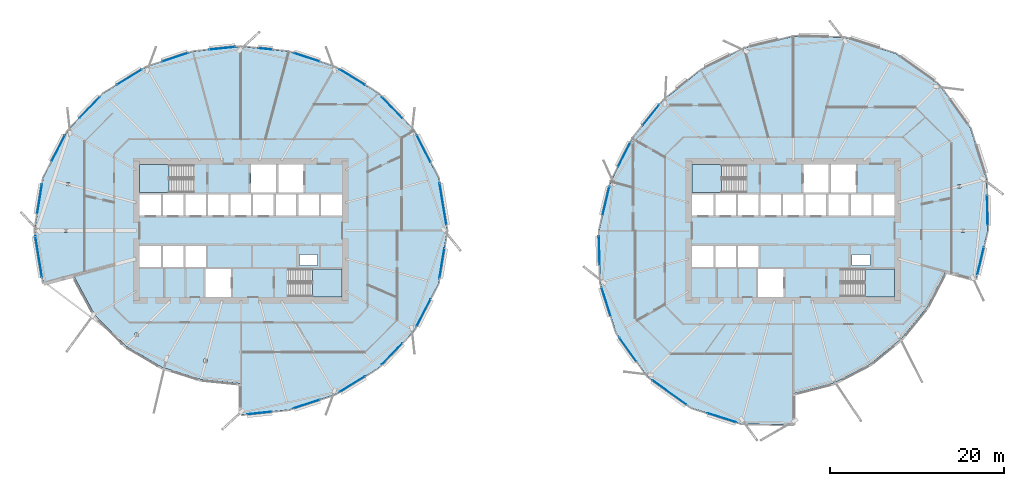
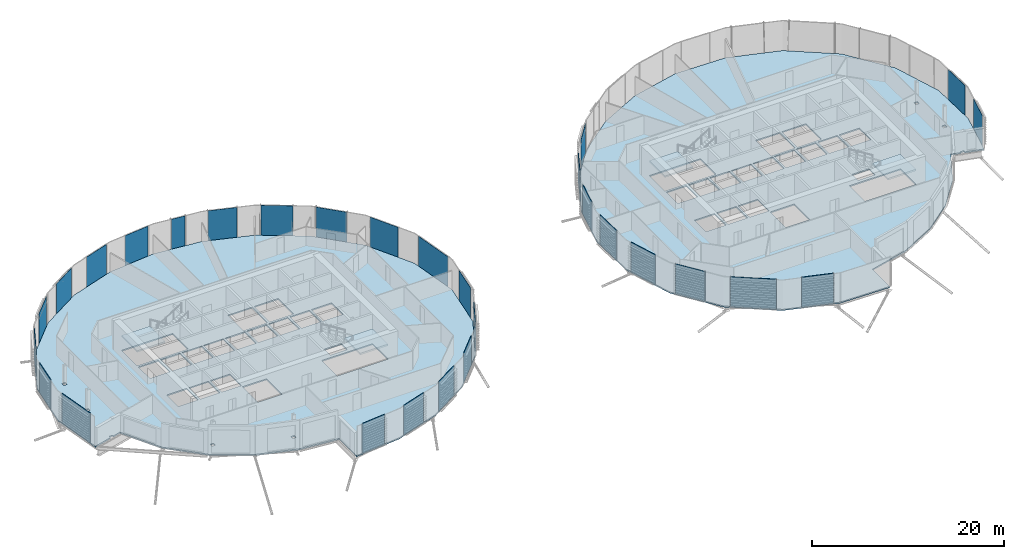
# One storey, part 20 of 42: 29 plates, 6 slabs, 6 elements without a shape of their own.
"""IFC4 building model written with IfcOpenShell, lengths in metres."""

from ifc_helpers import new_model, si_unit, direction, frame, origin, origin_2d, place, context, subcontext, project, spatial, polyline, rectangle, outline, extrude, material, layer, layer_set, type_object, element, aggregate, save


model = new_model("IFC4")

# Units and contexts
model_context = context("Model", 3, precision=1e-05, world=origin(), true_north=direction((0.0, 1.0)))
body_context = subcontext(model_context, "Body", "Model", "MODEL_VIEW")
ifc_project = project(units=[si_unit("LENGTHUNIT", "METRE"), si_unit("AREAUNIT", "SQUARE_METRE"), si_unit("VOLUMEUNIT", "CUBIC_METRE"), si_unit("PLANEANGLEUNIT", "RADIAN"), si_unit("MASSUNIT", "GRAM", prefix="KILO")], contexts=[model_context])

# Site, building, storey
site_placement = place(None, origin())
site = spatial("IfcSite", under=ifc_project, at=site_placement, CompositionType="ELEMENT")
building_placement = place(site_placement, origin())
building = spatial("IfcBuilding", under=site, at=building_placement, Name="Rimbun Link Towers", CompositionType="ELEMENT")
storey_placement = place(building_placement, frame((0.0, 0.0, 85.39990234375)))
storey = spatial("IfcBuildingStorey", under=building, at=storey_placement, Name="L20", CompositionType="ELEMENT", Elevation=85.39990234375)

# Slabs
ifc_material_1 = material(Name="Concrete C35/45", Category="concrete")
ifc_layer_1 = layer(ifc_material_1, 0.159912109375)
ifc_layer_set_1 = layer_set([ifc_layer_1], Name="COMPOSITE FLOOR 160")
slab_type_1 = type_object("IfcSlabType", Name="COMPOSITE FLOOR 160", PredefinedType="FLOOR", material=ifc_layer_set_1)
slab_1_placement = place(storey_placement, frame((0.0, 0.0, -0.159912109375)))
element("IfcSlab", 1, at=slab_1_placement, inside=storey, type_object=slab_type_1, Name="Floor slab T1 L20", PredefinedType="FLOOR", context=body_context, shape_type="SweptSolid", body=[
    extrude(outline(polyline([(-54.45556640625, -6.083984375), (-55.455810546875, 0.0), (-54.45556640625, 6.083984375), (-51.65673828125, 11.4931640625), (-47.53857421875, 15.78857421875), (-42.61181640625, 18.8134765625), (-37.265869140625, 20.585205078125), (-31.75, 21.166015625), (-26.234130859375, 20.585205078125), (-20.88818359375, 18.8134765625), (-15.96142578125, 15.78857421875), (-11.84326171875, 11.4931640625), (-9.04443359375, 6.083984375), (-8.044189453125, 0.0), (-9.04443359375, -6.083984375), (-11.84326171875, -11.4931640625), (-15.96142578125, -15.78857421875), (-20.88818359375, -18.8134765625), (-26.234130859375, -20.585205078125), (-31.75, -21.166015625), (-31.75, -17.56591796875), (-36.333984375, -17.10791015625), (-40.81201171875, -15.69580078125), (-44.992919921875, -13.242919921875), (-48.5390625, -9.693115234375), (-50.978271484375, -5.152099609375), (-51.91259765625, -5.402587890625), (-51.91259765625, -5.25927734375), (-52.3115234375, -5.25927734375), (-52.3115234375, -5.509521484375), (-54.45556640625, -6.083984375)]), holes=[polyline([(-35.5595703125, -15.15869140625), (-35.5595703125, -14.76513671875), (-35.95849609375, -14.76513671875), (-35.95849609375, -15.15869140625), (-35.5595703125, -15.15869140625)]), polyline([(-43.515869140625, -12.162109375), (-43.515869140625, -11.7685546875), (-43.914794921875, -11.7685546875), (-43.914794921875, -12.162109375), (-43.515869140625, -12.162109375)]), polyline([(-43.375, -4.14990234375), (-40.95556640625, -4.14990234375), (-40.95556640625, -1.75), (-43.375, -1.75), (-43.375, -4.14990234375)]), polyline([(-40.70556640625, -4.14990234375), (-38.361083984375, -4.14990234375), (-38.361083984375, -1.75), (-40.70556640625, -1.75), (-40.70556640625, -4.14990234375)]), polyline([(-35.7666015625, -4.14990234375), (-35.7666015625, -1.75), (-38.111083984375, -1.75), (-38.111083984375, -4.14990234375), (-35.7666015625, -4.14990234375)]), polyline([(-52.056884765625, -0.19677734375), (-51.65771484375, -0.19677734375), (-51.65771484375, 0.19677734375), (-52.056884765625, 0.19677734375), (-52.056884765625, -0.19677734375)]), polyline([(-43.375, 1.75), (-40.95556640625, 1.75), (-40.95556640625, 4.14990234375), (-43.375, 4.14990234375), (-43.375, 1.75)]), polyline([(-38.361083984375, 1.75), (-38.361083984375, 4.14990234375), (-40.70556640625, 4.14990234375), (-40.70556640625, 1.75), (-38.361083984375, 1.75)]), polyline([(-38.111083984375, 1.75), (-35.7666015625, 1.75), (-35.7666015625, 4.14990234375), (-38.111083984375, 4.14990234375), (-38.111083984375, 1.75)]), polyline([(-51.785888671875, 5.118408203125), (-51.386962890625, 5.118408203125), (-51.386962890625, 5.511962890625), (-51.785888671875, 5.511962890625), (-51.785888671875, 5.118408203125)]), polyline([(-37.260009765625, 4.39990234375), (-37.260009765625, 7.625), (-43.375, 7.625), (-43.375, 4.39990234375), (-37.260009765625, 4.39990234375)]), polyline([(-35.800048828125, -7.625), (-32.89990234375, -7.625), (-32.89990234375, -4.39990234375), (-35.800048828125, -4.39990234375), (-35.800048828125, -7.625)]), polyline([(-26.239990234375, -7.625), (-20.125, -7.625), (-20.125, -4.39990234375), (-26.239990234375, -4.39990234375), (-26.239990234375, -7.625)]), polyline([(-24.989013671875, -4.0), (-22.9443359375, -4.0), (-22.9443359375, -2.75), (-24.989013671875, -2.75), (-24.989013671875, -4.0)]), polyline([(-35.5166015625, 1.75), (-33.172119140625, 1.75), (-33.172119140625, 4.14990234375), (-35.5166015625, 4.14990234375), (-35.5166015625, 1.75)]), polyline([(-32.922119140625, 1.75), (-30.577880859375, 1.75), (-30.577880859375, 4.14990234375), (-32.922119140625, 4.14990234375), (-32.922119140625, 1.75)]), polyline([(-27.9833984375, 1.75), (-27.9833984375, 4.14990234375), (-30.327880859375, 4.14990234375), (-30.327880859375, 1.75), (-27.9833984375, 1.75)]), polyline([(-27.7333984375, 1.75), (-25.388916015625, 1.75), (-25.388916015625, 4.14990234375), (-27.7333984375, 4.14990234375), (-27.7333984375, 1.75)]), polyline([(-25.138916015625, 1.75), (-22.79443359375, 1.75), (-22.79443359375, 4.14990234375), (-25.138916015625, 4.14990234375), (-25.138916015625, 1.75)]), polyline([(-20.125, 1.75), (-20.125, 4.14990234375), (-22.54443359375, 4.14990234375), (-22.54443359375, 1.75), (-20.125, 1.75)]), polyline([(-30.60009765625, 4.39990234375), (-27.699951171875, 4.39990234375), (-27.699951171875, 7.625), (-30.60009765625, 7.625), (-30.60009765625, 4.39990234375)]), polyline([(-27.449951171875, 4.39990234375), (-24.550048828125, 4.39990234375), (-24.550048828125, 7.625), (-27.449951171875, 7.625), (-27.449951171875, 4.39990234375)])]), origin(), (0.0, 0.0, 1.0), 0.159912109375),
])
slab_2_placement = place(storey_placement, frame((0.0, 0.0, -0.159912109375)))
element("IfcSlab", 2, at=slab_2_placement, inside=storey, type_object=slab_type_1, Name="Floor slab T2 L20", PredefinedType="FLOOR", context=body_context, shape_type="SweptSolid", body=[
    extrude(outline(polyline([(49.25634765625, -4.69091796875), (47.08837890625, -8.855712890625), (44.1708984375, -12.4208984375), (40.605712890625, -15.33837890625), (36.44091796875, -17.50634765625), (31.75, -18.728271484375), (31.75, -22.328369140625), (25.80078125, -22.202880859375), (19.996826171875, -20.357177734375), (14.9873046875, -16.7626953125), (11.392822265625, -11.753173828125), (9.547119140625, -5.94921875), (9.421630859375, 0.0), (10.766357421875, 5.62255859375), (13.2939453125, 10.655517578125), (16.783447265625, 14.966552734375), (21.094482421875, 18.4560546875), (26.12744140625, 20.983642578125), (31.75, 22.328369140625), (37.69921875, 22.202880859375), (43.503173828125, 20.357177734375), (48.5126953125, 16.7626953125), (52.107177734375, 11.753173828125), (53.952880859375, 5.94921875), (54.078369140625, 0.0), (52.733642578125, -5.62255859375), (50.7421875, -5.089111328125), (50.7421875, -4.838623046875), (50.34326171875, -4.838623046875), (50.34326171875, -4.98193359375), (49.25634765625, -4.69091796875)]), holes=[polyline([(30.60009765625, -7.625), (30.60009765625, -4.39990234375), (27.699951171875, -4.39990234375), (27.699951171875, -7.625), (30.60009765625, -7.625)]), polyline([(22.54443359375, -4.14990234375), (22.54443359375, -1.75), (20.125, -1.75), (20.125, -4.14990234375), (22.54443359375, -4.14990234375)]), polyline([(25.138916015625, -4.14990234375), (25.138916015625, -1.75), (22.79443359375, -1.75), (22.79443359375, -4.14990234375), (25.138916015625, -4.14990234375)]), polyline([(25.388916015625, -4.14990234375), (27.7333984375, -4.14990234375), (27.7333984375, -1.75), (25.388916015625, -1.75), (25.388916015625, -4.14990234375)]), polyline([(20.125, 1.75), (22.54443359375, 1.75), (22.54443359375, 4.14990234375), (20.125, 4.14990234375), (20.125, 1.75)]), polyline([(25.138916015625, 1.75), (25.138916015625, 4.14990234375), (22.79443359375, 4.14990234375), (22.79443359375, 1.75), (25.138916015625, 1.75)]), polyline([(27.7333984375, 1.75), (27.7333984375, 4.14990234375), (25.388916015625, 4.14990234375), (25.388916015625, 1.75), (27.7333984375, 1.75)]), polyline([(30.327880859375, 1.75), (30.327880859375, 4.14990234375), (27.9833984375, 4.14990234375), (27.9833984375, 1.75), (30.327880859375, 1.75)]), polyline([(30.577880859375, 1.75), (32.922119140625, 1.75), (32.922119140625, 4.14990234375), (30.577880859375, 4.14990234375), (30.577880859375, 1.75)]), polyline([(33.172119140625, 1.75), (35.5166015625, 1.75), (35.5166015625, 4.14990234375), (33.172119140625, 4.14990234375), (33.172119140625, 1.75)]), polyline([(26.239990234375, 4.39990234375), (26.239990234375, 7.625), (20.125, 7.625), (20.125, 4.39990234375), (26.239990234375, 4.39990234375)]), polyline([(43.375, -7.625), (43.375, -4.39990234375), (37.260009765625, -4.39990234375), (37.260009765625, -7.625), (43.375, -7.625)]), polyline([(38.510986328125, -2.75), (38.510986328125, -4.0), (40.5556640625, -4.0), (40.5556640625, -2.75), (38.510986328125, -2.75)]), polyline([(51.001708984375, -0.19677734375), (51.40087890625, -0.19677734375), (51.40087890625, 0.19677734375), (51.001708984375, 0.19677734375), (51.001708984375, -0.19677734375)]), polyline([(38.111083984375, 1.75), (38.111083984375, 4.14990234375), (35.7666015625, 4.14990234375), (35.7666015625, 1.75), (38.111083984375, 1.75)]), polyline([(38.361083984375, 1.75), (40.70556640625, 1.75), (40.70556640625, 4.14990234375), (38.361083984375, 4.14990234375), (38.361083984375, 1.75)]), polyline([(40.95556640625, 1.75), (43.375, 1.75), (43.375, 4.14990234375), (40.95556640625, 4.14990234375), (40.95556640625, 1.75)]), polyline([(51.005615234375, 4.9091796875), (51.005615234375, 5.302734375), (50.6064453125, 5.302734375), (50.6064453125, 4.9091796875), (51.005615234375, 4.9091796875)]), polyline([(32.89990234375, 4.39990234375), (35.800048828125, 4.39990234375), (35.800048828125, 7.625), (32.89990234375, 7.625), (32.89990234375, 4.39990234375)]), polyline([(36.050048828125, 4.39990234375), (38.949951171875, 4.39990234375), (38.949951171875, 7.625), (36.050048828125, 7.625), (36.050048828125, 4.39990234375)])]), origin(), (0.0, 0.0, 1.0), 0.159912109375),
])

# Curtain wall, plates
ifc_material_2 = material(Name="Aluminium 6063-T6 and low-iron glass", Category="aluminium")
curtain_wall_type = type_object("IfcCurtainWallType", Name="CW1-Z2 unitised vision wall (zone 2)", PredefinedType="NOTDEFINED", material=ifc_material_2)
curtain_wall_1_placement = place(storey_placement, origin())
curtain_wall_1 = element("IfcCurtainWall", 3, at=curtain_wall_1_placement, inside=storey, type_object=curtain_wall_type, Name="CW1 L20 T1", PredefinedType="NOTDEFINED")
ifc_material_3 = material(Name="Low-iron glass, laminated low-e unit", Category="glass")
ifc_layer_2 = layer(ifc_material_3, 0.028076171875)
ifc_layer_set_2 = layer_set([ifc_layer_2], Name="CW1 panel Low-iron glass 28")
plate_type = type_object("IfcPlateType", Name="CW1 panel Low-iron glass 28", PredefinedType="CURTAIN_PANEL", material=ifc_layer_set_2)
plate_1_placement = place(storey_placement, frame((-8.530517578125, 3.044189453125, 0.0), z_axis=(0.0, 0.0, 1.0), x_axis=(0.162255058613, -0.986748851509, 0.0)))
plate_1 = element("IfcPlate", 4, at=plate_1_placement, type_object=plate_type, Name="CW1 panel", PredefinedType="CURTAIN_PANEL", context=body_context, shape_type="SweptSolid", body=[
    extrude(rectangle(XDim=4.82568359375, YDim=0.028076171875, at=origin_2d()), origin(), (0.0, 0.0, 1.0), 3.800048828125),
])
plate_2_placement = place(storey_placement, frame((-10.753173828125, 9.416748046875, 0.0), z_axis=(0.0, 0.0, 1.0), x_axis=(0.459544411514, -0.888154791602, 0.0)))
plate_2 = element("IfcPlate", 5, at=plate_2_placement, type_object=plate_type, Name="CW1 panel", PredefinedType="CURTAIN_PANEL", context=body_context, shape_type="SweptSolid", body=[
    extrude(rectangle(XDim=3.450439453125, YDim=0.028076171875, at=origin_2d()), origin(), (0.0, 0.0, 1.0), 3.800048828125),
])
plate_3_placement = place(storey_placement, frame((-14.359375, 14.1376953125, 0.0), z_axis=(0.0, 0.0, 1.0), x_axis=(0.692060834658, -0.721839179549, 0.0)))
plate_3 = element("IfcPlate", 6, at=plate_3_placement, type_object=plate_type, Name="CW1 panel", PredefinedType="CURTAIN_PANEL", context=body_context, shape_type="SweptSolid", body=[
    extrude(rectangle(XDim=3.360595703125, YDim=0.028076171875, at=origin_2d()), origin(), (0.0, 0.0, 1.0), 3.800048828125),
])
plate_4_placement = place(storey_placement, frame((-18.9287109375, 17.626708984375, 0.0), z_axis=(0.0, 0.0, 1.0), x_axis=(0.852187057689, -0.523237248968, 0.0)))
plate_4 = element("IfcPlate", 7, at=plate_4_placement, type_object=plate_type, Name="CW1 panel", PredefinedType="CURTAIN_PANEL", context=body_context, shape_type="SweptSolid", body=[
    extrude(rectangle(XDim=3.341064453125, YDim=0.028076171875, at=origin_2d()), origin(), (0.0, 0.0, 1.0), 3.800048828125),
])
plate_5_placement = place(storey_placement, frame((-24.173828125, 19.9169921875, 0.0), z_axis=(0.0, 0.0, 1.0), x_axis=(0.949232284646, -0.314576015911, 0.0)))
plate_5 = element("IfcPlate", 8, at=plate_5_placement, type_object=plate_type, Name="CW1 panel", PredefinedType="CURTAIN_PANEL", context=body_context, shape_type="SweptSolid", body=[
    extrude(rectangle(XDim=3.092041015625, YDim=0.028076171875, at=origin_2d()), origin(), (0.0, 0.0, 1.0), 3.800048828125),
])
plate_6_placement = place(storey_placement, frame((-28.94091796875, 20.88427734375, 0.0), z_axis=(0.0, 0.0, 1.0), x_axis=(0.994500017876, -0.104736404583, 0.0)))
plate_6 = element("IfcPlate", 9, at=plate_6_placement, type_object=plate_type, Name="CW1 panel", PredefinedType="CURTAIN_PANEL", context=body_context, shape_type="SweptSolid", body=[
    extrude(rectangle(XDim=1.606201171875, YDim=0.028076171875, at=origin_2d()), origin(), (0.0, 0.0, 1.0), 3.800048828125),
])
plate_7_placement = place(storey_placement, frame((-33.8876953125, 20.954833984375, 0.0), z_axis=(0.0, 0.0, 1.0), x_axis=(0.994500017876, 0.104736404583, 0.0)))
plate_7 = element("IfcPlate", 10, at=plate_7_placement, type_object=plate_type, Name="CW1 panel", PredefinedType="CURTAIN_PANEL", context=body_context, shape_type="SweptSolid", body=[
    extrude(rectangle(XDim=2.956298828125, YDim=0.028076171875, at=origin_2d()), origin(), (0.0, 0.0, 1.0), 3.800048828125),
])
plate_8_placement = place(storey_placement, frame((-39.326171875, 19.9169921875, 0.0), z_axis=(0.0, 0.0, 1.0), x_axis=(0.949232284646, 0.314576015911, 0.0)))
plate_8 = element("IfcPlate", 11, at=plate_8_placement, type_object=plate_type, Name="CW1 panel", PredefinedType="CURTAIN_PANEL", context=body_context, shape_type="SweptSolid", body=[
    extrude(rectangle(XDim=3.092041015625, YDim=0.028076171875, at=origin_2d()), origin(), (0.0, 0.0, 1.0), 3.800048828125),
])
plate_9_placement = place(storey_placement, frame((-44.5712890625, 17.626708984375, 0.0), z_axis=(0.0, 0.0, 1.0), x_axis=(0.852187057689, 0.523237248968, 0.0)))
plate_9 = element("IfcPlate", 12, at=plate_9_placement, type_object=plate_type, Name="CW1 panel", PredefinedType="CURTAIN_PANEL", context=body_context, shape_type="SweptSolid", body=[
    extrude(rectangle(XDim=3.341064453125, YDim=0.028076171875, at=origin_2d()), origin(), (0.0, 0.0, 1.0), 3.800048828125),
])
plate_10_placement = place(storey_placement, frame((-49.140625, 14.1376953125, 0.0), z_axis=(0.0, 0.0, 1.0), x_axis=(0.692060834658, 0.721839179549, 0.0)))
plate_10 = element("IfcPlate", 13, at=plate_10_placement, type_object=plate_type, Name="CW1 panel", PredefinedType="CURTAIN_PANEL", context=body_context, shape_type="SweptSolid", body=[
    extrude(rectangle(XDim=3.360595703125, YDim=0.028076171875, at=origin_2d()), origin(), (0.0, 0.0, 1.0), 3.800048828125),
])
plate_11_placement = place(storey_placement, frame((-52.723876953125, 9.4609375, 0.0), z_axis=(0.0, 0.0, 1.0), x_axis=(0.459544411514, 0.888154791602, 0.0)))
plate_11 = element("IfcPlate", 14, at=plate_11_placement, type_object=plate_type, Name="CW1 panel", PredefinedType="CURTAIN_PANEL", context=body_context, shape_type="SweptSolid", body=[
    extrude(rectangle(XDim=3.350341796875, YDim=0.028076171875, at=origin_2d()), origin(), (0.0, 0.0, 1.0), 3.800048828125),
])
plate_12_placement = place(storey_placement, frame((-54.8720703125, 3.63623046875, 0.0), z_axis=(0.0, 0.0, 1.0), x_axis=(0.162255058613, 0.986748851509, 0.0)))
plate_12 = element("IfcPlate", 15, at=plate_12_placement, type_object=plate_type, Name="CW1 panel", PredefinedType="CURTAIN_PANEL", context=body_context, shape_type="SweptSolid", body=[
    extrude(rectangle(XDim=3.425537109375, YDim=0.028076171875, at=origin_2d()), origin(), (0.0, 0.0, 1.0), 3.800048828125),
])
plate_13_placement = place(storey_placement, frame((-54.9775390625, -2.994873046875, 0.0), z_axis=(0.0, 0.0, 1.0), x_axis=(-0.162255058613, 0.986748851509, 0.0)))
plate_13 = element("IfcPlate", 16, at=plate_13_placement, type_object=plate_type, Name="CW1 panel", PredefinedType="CURTAIN_PANEL", context=body_context, shape_type="SweptSolid", body=[
    extrude(rectangle(XDim=4.7255859375, YDim=0.028076171875, at=origin_2d()), origin(), (0.0, 0.0, 1.0), 3.800048828125),
])
plate_14_placement = place(storey_placement, frame((-29.6123046875, -20.954833984375, 0.0), z_axis=(0.0, 0.0, 1.0), x_axis=(-0.994500017876, -0.104736404583, 0.0)))
plate_14 = element("IfcPlate", 17, at=plate_14_placement, type_object=plate_type, Name="CW1 panel", PredefinedType="CURTAIN_PANEL", context=body_context, shape_type="SweptSolid", body=[
    extrude(rectangle(XDim=2.856201171875, YDim=0.028076171875, at=origin_2d()), origin(), (0.0, 0.0, 1.0), 3.800048828125),
])
plate_15_placement = place(storey_placement, frame((-24.173828125, -19.9169921875, 0.0), z_axis=(0.0, 0.0, 1.0), x_axis=(-0.949232284646, -0.314576015911, 0.0)))
plate_15 = element("IfcPlate", 18, at=plate_15_placement, type_object=plate_type, Name="CW1 panel", PredefinedType="CURTAIN_PANEL", context=body_context, shape_type="SweptSolid", body=[
    extrude(rectangle(XDim=3.092041015625, YDim=0.028076171875, at=origin_2d()), origin(), (0.0, 0.0, 1.0), 3.800048828125),
])
plate_16_placement = place(storey_placement, frame((-18.9287109375, -17.626708984375, 0.0), z_axis=(0.0, 0.0, 1.0), x_axis=(-0.852187057689, -0.523237248968, 0.0)))
plate_16 = element("IfcPlate", 19, at=plate_16_placement, type_object=plate_type, Name="CW1 panel", PredefinedType="CURTAIN_PANEL", context=body_context, shape_type="SweptSolid", body=[
    extrude(rectangle(XDim=3.341064453125, YDim=0.028076171875, at=origin_2d()), origin(), (0.0, 0.0, 1.0), 3.800048828125),
])
plate_17_placement = place(storey_placement, frame((-14.359375, -14.1376953125, 0.0), z_axis=(0.0, 0.0, 1.0), x_axis=(-0.692060834658, -0.721839179549, 0.0)))
plate_17 = element("IfcPlate", 20, at=plate_17_placement, type_object=plate_type, Name="CW1 panel", PredefinedType="CURTAIN_PANEL", context=body_context, shape_type="SweptSolid", body=[
    extrude(rectangle(XDim=3.360595703125, YDim=0.028076171875, at=origin_2d()), origin(), (0.0, 0.0, 1.0), 3.800048828125),
])
plate_18_placement = place(storey_placement, frame((-10.753173828125, -9.416748046875, 0.0), z_axis=(0.0, 0.0, 1.0), x_axis=(-0.459544411514, -0.888154791602, 0.0)))
plate_18 = element("IfcPlate", 21, at=plate_18_placement, type_object=plate_type, Name="CW1 panel", PredefinedType="CURTAIN_PANEL", context=body_context, shape_type="SweptSolid", body=[
    extrude(rectangle(XDim=3.450439453125, YDim=0.028076171875, at=origin_2d()), origin(), (0.0, 0.0, 1.0), 3.800048828125),
])
plate_19_placement = place(storey_placement, frame((-8.64404296875, -3.73486328125, 0.0), z_axis=(0.0, 0.0, 1.0), x_axis=(-0.162255058613, -0.986748851509, 0.0)))
plate_19 = element("IfcPlate", 22, at=plate_19_placement, type_object=plate_type, Name="CW1 panel", PredefinedType="CURTAIN_PANEL", context=body_context, shape_type="SweptSolid", body=[
    extrude(rectangle(XDim=3.425537109375, YDim=0.028076171875, at=origin_2d()), origin(), (0.0, 0.0, 1.0), 3.800048828125),
])
aggregate(curtain_wall_1, [plate_1, plate_2, plate_3, plate_4, plate_5, plate_6, plate_7, plate_8, plate_9, plate_10, plate_11, plate_12, plate_13, plate_14, plate_15, plate_16, plate_17, plate_18, plate_19])

curtain_wall_2_placement = place(storey_placement, origin())
curtain_wall_2 = element("IfcCurtainWall", 23, at=curtain_wall_2_placement, inside=storey, type_object=curtain_wall_type, Name="CW1 L20 T2", PredefinedType="NOTDEFINED")
plate_20_placement = place(storey_placement, frame((15.4052734375, 13.286376953125, 0.0), z_axis=(0.0, 0.0, 1.0), x_axis=(0.629159327388, 0.777276360608, 0.0)))
plate_20 = element("IfcPlate", 24, at=plate_20_placement, type_object=plate_type, Name="CW1 panel", PredefinedType="CURTAIN_PANEL", context=body_context, shape_type="SweptSolid", body=[
    extrude(rectangle(XDim=3.00634765625, YDim=0.028076171875, at=origin_2d()), origin(), (0.0, 0.0, 1.0), 3.800048828125),
])
plate_21_placement = place(storey_placement, frame((12.309326171875, 8.726318359375, 0.0), z_axis=(0.0, 0.0, 1.0), x_axis=(0.448789594585, 0.893637454336, 0.0)))
plate_21 = element("IfcPlate", 25, at=plate_21_placement, type_object=plate_type, Name="CW1 panel", PredefinedType="CURTAIN_PANEL", context=body_context, shape_type="SweptSolid", body=[
    extrude(rectangle(XDim=3.092041015625, YDim=0.028076171875, at=origin_2d()), origin(), (0.0, 0.0, 1.0), 3.800048828125),
])
plate_22_placement = place(storey_placement, frame((10.219970703125, 3.398193359375, 0.0), z_axis=(0.0, 0.0, 1.0), x_axis=(0.232583884072, 0.972576339867, 0.0)))
plate_22 = element("IfcPlate", 26, at=plate_22_placement, type_object=plate_type, Name="CW1 panel", PredefinedType="CURTAIN_PANEL", context=body_context, shape_type="SweptSolid", body=[
    extrude(rectangle(XDim=3.341064453125, YDim=0.028076171875, at=origin_2d()), origin(), (0.0, 0.0, 1.0), 3.800048828125),
])
plate_23_placement = place(storey_placement, frame((9.4560546875, -2.300048828125, 0.0), z_axis=(0.0, 0.0, 1.0), x_axis=(-0.02105663171, 0.999778284552, 0.0)))
plate_23 = element("IfcPlate", 27, at=plate_23_placement, type_object=plate_type, Name="CW1 panel", PredefinedType="CURTAIN_PANEL", context=body_context, shape_type="SweptSolid", body=[
    extrude(rectangle(XDim=3.360595703125, YDim=0.028076171875, at=origin_2d()), origin(), (0.0, 0.0, 1.0), 3.800048828125),
])
plate_24_placement = place(storey_placement, frame((10.244384765625, -8.1884765625, 0.0), z_axis=(0.0, 0.0, 1.0), x_axis=(-0.303070142328, 0.952968251743, 0.0)))
plate_24 = element("IfcPlate", 28, at=plate_24_placement, type_object=plate_type, Name="CW1 panel", PredefinedType="CURTAIN_PANEL", context=body_context, shape_type="SweptSolid", body=[
    extrude(rectangle(XDim=3.450439453125, YDim=0.028076171875, at=origin_2d()), origin(), (0.0, 0.0, 1.0), 3.800048828125),
])
plate_25_placement = place(storey_placement, frame((12.756103515625, -13.677001953125, 0.0), z_axis=(0.0, 0.0, 1.0), x_axis=(-0.583004243446, 0.812469108412, 0.0)))
plate_25 = element("IfcPlate", 29, at=plate_25_placement, type_object=plate_type, Name="CW1 panel", PredefinedType="CURTAIN_PANEL", context=body_context, shape_type="SweptSolid", body=[
    extrude(rectangle(XDim=3.375732421875, YDim=0.028076171875, at=origin_2d()), origin(), (0.0, 0.0, 1.0), 3.800048828125),
])
plate_26_placement = place(storey_placement, frame((17.504150390625, -18.5859375, 0.0), z_axis=(0.0, 0.0, 1.0), x_axis=(-0.812469108412, 0.583004243446, 0.0)))
plate_26 = element("IfcPlate", 30, at=plate_26_placement, type_object=plate_type, Name="CW1 panel", PredefinedType="CURTAIN_PANEL", context=body_context, shape_type="SweptSolid", body=[
    extrude(rectangle(XDim=4.775634765625, YDim=0.028076171875, at=origin_2d()), origin(), (0.0, 0.0, 1.0), 3.800048828125),
])
plate_27_placement = place(storey_placement, frame((23.537841796875, -21.498046875, 0.0), z_axis=(0.0, 0.0, 1.0), x_axis=(-0.952968251743, 0.303070142328, 0.0)))
plate_27 = element("IfcPlate", 31, at=plate_27_placement, type_object=plate_type, Name="CW1 panel", PredefinedType="CURTAIN_PANEL", context=body_context, shape_type="SweptSolid", body=[
    extrude(rectangle(XDim=3.400390625, YDim=0.028076171875, at=origin_2d()), origin(), (0.0, 0.0, 1.0), 3.800048828125),
])
plate_28_placement = place(storey_placement, frame((53.2626953125, -3.470947265625, 0.0), z_axis=(0.0, 0.0, 1.0), x_axis=(-0.232583884072, -0.972576339867, 0.0)))
plate_28 = element("IfcPlate", 32, at=plate_28_placement, type_object=plate_type, Name="CW1 panel", PredefinedType="CURTAIN_PANEL", context=body_context, shape_type="SweptSolid", body=[
    extrude(rectangle(XDim=3.191162109375, YDim=0.028076171875, at=origin_2d()), origin(), (0.0, 0.0, 1.0), 3.800048828125),
])
plate_29_placement = place(storey_placement, frame((54.043212890625, 2.3251953125, 0.0), z_axis=(0.0, 0.0, 1.0), x_axis=(0.02105663171, -0.999778284552, 0.0)))
plate_29 = element("IfcPlate", 33, at=plate_29_placement, type_object=plate_type, Name="CW1 panel", PredefinedType="CURTAIN_PANEL", context=body_context, shape_type="SweptSolid", body=[
    extrude(rectangle(XDim=3.41064453125, YDim=0.028076171875, at=origin_2d()), origin(), (0.0, 0.0, 1.0), 3.800048828125),
])
aggregate(curtain_wall_2, [plate_20, plate_21, plate_22, plate_23, plate_24, plate_25, plate_26, plate_27, plate_28, plate_29])

# Stair, slab
ifc_material_4 = material(Name="Concrete C40/50", Category="concrete")
stair_type = type_object("IfcStairType", Name="Exit stair 3800 rise", PredefinedType="HALF_TURN_STAIR", material=ifc_material_4)
stair_1_placement = place(storey_placement, origin())
stair_1 = element("IfcStair", 34, at=stair_1_placement, inside=storey, type_object=stair_type, Name="L20 EXIT STAIR A", PredefinedType="HALF_TURN_STAIR")
ifc_material_5 = material(Name="Concrete C40/50", Category="concrete")
ifc_layer_3 = layer(ifc_material_5, 0.199951171875)
ifc_layer_set_3 = layer_set([ifc_layer_3], Name="Stair landing")
slab_type_2 = type_object("IfcSlabType", Name="Stair landing", PredefinedType="LANDING", material=ifc_layer_set_3)
slab_3_placement = place(storey_placement, frame((0.0, 0.0, 1.7001953125)))
slab_3 = element("IfcSlab", 35, at=slab_3_placement, type_object=slab_type_2, Name="ST1 landing 1", PredefinedType="LANDING", context=body_context, shape_type="SweptSolid", body=[
    extrude(outline(polyline([(-40.0, 7.625), (-43.375, 7.625), (-43.375, 4.39990234375), (-40.0, 4.39990234375), (-40.0, 7.625)])), origin(), (0.0, 0.0, 1.0), 0.199951171875),
])
aggregate(stair_1, [slab_3])

stair_2_placement = place(storey_placement, origin())
stair_2 = element("IfcStair", 36, at=stair_2_placement, inside=storey, type_object=stair_type, Name="L20 EXIT STAIR B", PredefinedType="HALF_TURN_STAIR")
slab_4_placement = place(storey_placement, frame((0.0, 0.0, 1.7001953125)))
slab_4 = element("IfcSlab", 37, at=slab_4_placement, type_object=slab_type_2, Name="ST2 landing 1", PredefinedType="LANDING", context=body_context, shape_type="SweptSolid", body=[
    extrude(outline(polyline([(-23.5, -7.625), (-20.125, -7.625), (-20.125, -4.39990234375), (-23.5, -4.39990234375), (-23.5, -7.625)])), origin(), (0.0, 0.0, 1.0), 0.199951171875),
])
aggregate(stair_2, [slab_4])

stair_3_placement = place(storey_placement, origin())
stair_3 = element("IfcStair", 38, at=stair_3_placement, inside=storey, type_object=stair_type, Name="L20 EXIT STAIR A", PredefinedType="HALF_TURN_STAIR")
slab_5_placement = place(storey_placement, frame((0.0, 0.0, 1.7001953125)))
slab_5 = element("IfcSlab", 39, at=slab_5_placement, type_object=slab_type_2, Name="ST3 landing 1", PredefinedType="LANDING", context=body_context, shape_type="SweptSolid", body=[
    extrude(outline(polyline([(23.5, 7.625), (20.125, 7.625), (20.125, 4.39990234375), (23.5, 4.39990234375), (23.5, 7.625)])), origin(), (0.0, 0.0, 1.0), 0.199951171875),
])
aggregate(stair_3, [slab_5])

stair_4_placement = place(storey_placement, origin())
stair_4 = element("IfcStair", 40, at=stair_4_placement, inside=storey, type_object=stair_type, Name="L20 EXIT STAIR B", PredefinedType="HALF_TURN_STAIR")
slab_6_placement = place(storey_placement, frame((0.0, 0.0, 1.7001953125)))
slab_6 = element("IfcSlab", 41, at=slab_6_placement, type_object=slab_type_2, Name="ST4 landing 1", PredefinedType="LANDING", context=body_context, shape_type="SweptSolid", body=[
    extrude(outline(polyline([(40.0, -7.625), (43.375, -7.625), (43.375, -4.39990234375), (40.0, -4.39990234375), (40.0, -7.625)])), origin(), (0.0, 0.0, 1.0), 0.199951171875),
])
aggregate(stair_4, [slab_6])

save(model, "model.ifc")
